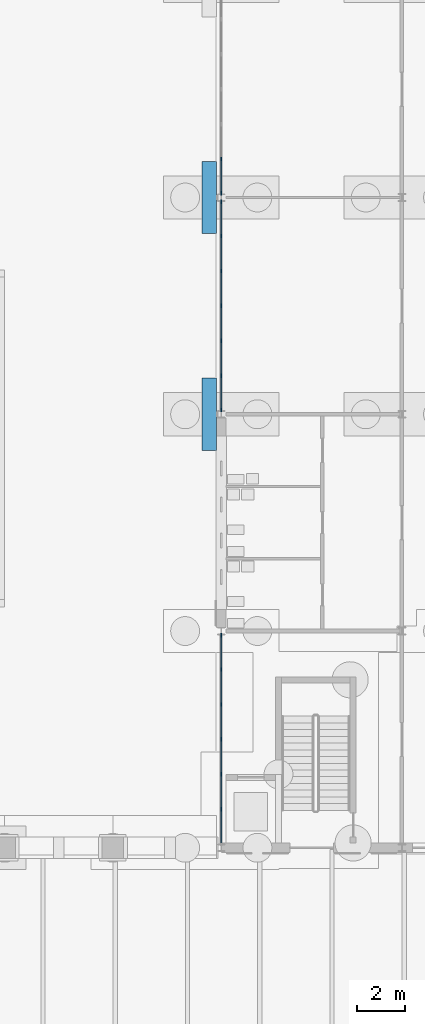
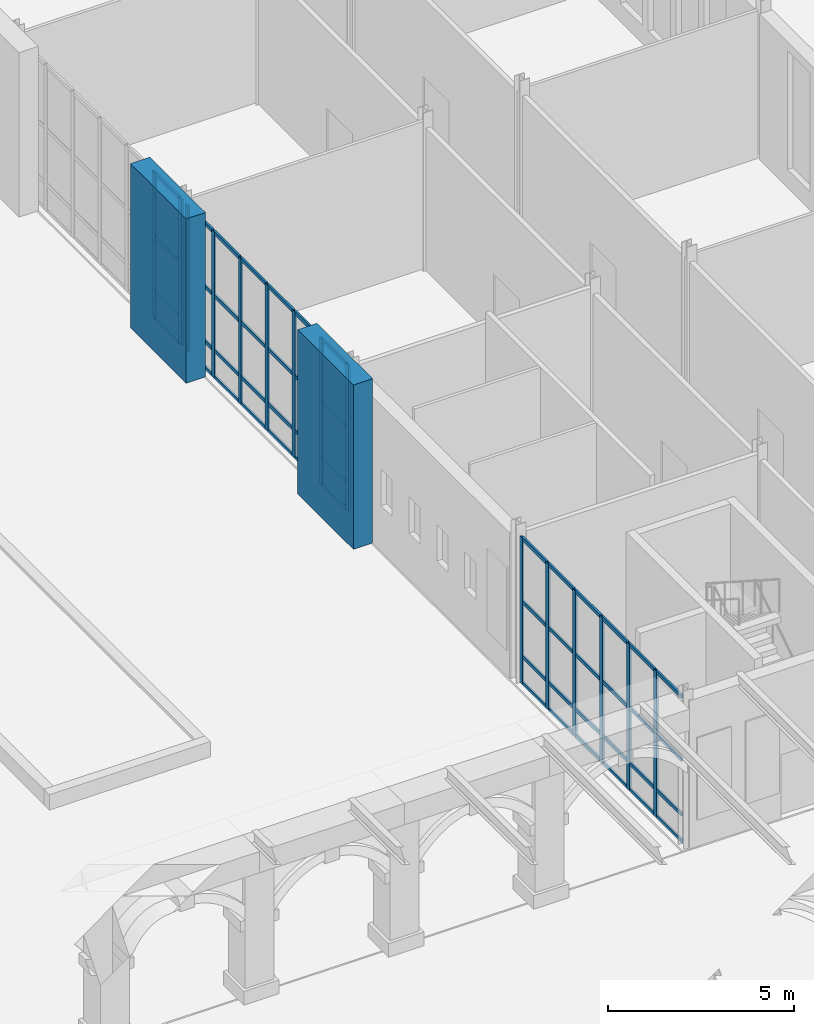
# One storey, part 39 of 168: 69 members, 3 elements without a shape of their own.
"""IFC4 building model written with IfcOpenShell, lengths in metres."""

from ifc_helpers import new_model, si_unit, direction, frame, origin, origin_2d, place, context, subcontext, project, spatial, rectangle, extrude, material, layer, layer_set, material_profile, profile_set, type_object, element, aggregate, save


model = new_model("IFC4")

# Units and contexts
model_context = context("Model", 3, precision=1e-05, world=origin(), true_north=direction((0.0, 1.0)))
body_context = subcontext(model_context, "Body", "Model", "MODEL_VIEW")
ifc_project = project(units=[si_unit("LENGTHUNIT", "METRE"), si_unit("AREAUNIT", "SQUARE_METRE"), si_unit("VOLUMEUNIT", "CUBIC_METRE"), si_unit("PLANEANGLEUNIT", "RADIAN"), si_unit("MASSUNIT", "GRAM", prefix="KILO")], contexts=[model_context])

# Site, building, storey
site_placement = place(None, origin())
site = spatial("IfcSite", under=ifc_project, at=site_placement, CompositionType="ELEMENT")
building_placement = place(site_placement, origin())
building = spatial("IfcBuilding", under=site, at=building_placement, Name="Golden Quay Civic Hall", CompositionType="ELEMENT")
storey_placement = place(building_placement, origin())
storey = spatial("IfcBuildingStorey", under=building, at=storey_placement, Name="L00", CompositionType="ELEMENT", Elevation=0.0)

# Curtain wall, members
ifc_material_1 = material(Name="Glass, laminated double glazed", Category="glass")
ifc_layer = layer(ifc_material_1, 0.199951171875)
ifc_layer_set = layer_set([ifc_layer], Name="Glazed core strip curtain wall")
curtain_wall_type = type_object("IfcCurtainWallType", Name="Glazed core strip curtain wall", PredefinedType="NOTDEFINED", material=ifc_layer_set)
curtain_wall_1_placement = place(storey_placement, origin())
curtain_wall_1 = element("IfcCurtainWall", 1, at=curtain_wall_1_placement, inside=storey, type_object=curtain_wall_type, Name="Glazed core strip curtain wall L00 3", PredefinedType="NOTDEFINED")
ifc_material_2 = material(Name="Aluminium, anodised", Category="aluminium")
ifc_material_profile_1 = material_profile(ifc_material_2, rectangle(XDim=0.06005859375, YDim=0.159912109375, at=origin_2d()), Name="Aluminium 60 x 160")
ifc_profile_set_1 = profile_set([ifc_material_profile_1], Name="Aluminium, anodised")
member_type_1 = type_object("IfcMemberType", Name="Aluminium mullion 60 x 160", PredefinedType="MULLION", material=ifc_profile_set_1)
member_1_placement = place(storey_placement, frame((54.0, 1.5966796875, 0.0), z_axis=(0.0, 0.0, 1.0), x_axis=(-1.0, 0.0, 0.0)))
member_1 = element("IfcMember", 2, at=member_1_placement, type_object=member_type_1, Name="CW2 mullion 2", PredefinedType="MULLION", context=body_context, shape_type="SweptSolid", body=[
    extrude(rectangle(XDim=0.06005859375, YDim=0.159912109375, at=origin_2d()), origin(), (0.0, 0.0, 1.0), 4.800048828125),
])
member_2_placement = place(storey_placement, frame((54.0, 3.04833984375, 0.0), z_axis=(0.0, 0.0, 1.0), x_axis=(-1.0, 0.0, 0.0)))
member_2 = element("IfcMember", 3, at=member_2_placement, type_object=member_type_1, Name="CW2 mullion 3", PredefinedType="MULLION", context=body_context, shape_type="SweptSolid", body=[
    extrude(rectangle(XDim=0.06005859375, YDim=0.159912109375, at=origin_2d()), origin(), (0.0, 0.0, 1.0), 4.800048828125),
])
member_3_placement = place(storey_placement, frame((54.0, 4.5, 0.0), z_axis=(0.0, 0.0, 1.0), x_axis=(-1.0, 0.0, 0.0)))
member_3 = element("IfcMember", 4, at=member_3_placement, type_object=member_type_1, Name="CW2 mullion 4", PredefinedType="MULLION", context=body_context, shape_type="SweptSolid", body=[
    extrude(rectangle(XDim=0.06005859375, YDim=0.159912109375, at=origin_2d()), origin(), (0.0, 0.0, 1.0), 4.800048828125),
])
member_4_placement = place(storey_placement, frame((54.0, 5.95166015625, 0.0), z_axis=(0.0, 0.0, 1.0), x_axis=(-1.0, 0.0, 0.0)))
member_4 = element("IfcMember", 5, at=member_4_placement, type_object=member_type_1, Name="CW2 mullion 5", PredefinedType="MULLION", context=body_context, shape_type="SweptSolid", body=[
    extrude(rectangle(XDim=0.06005859375, YDim=0.159912109375, at=origin_2d()), origin(), (0.0, 0.0, 1.0), 4.800048828125),
])
member_5_placement = place(storey_placement, frame((54.0, 7.4033203125, 0.0), z_axis=(0.0, 0.0, 1.0), x_axis=(-1.0, 0.0, 0.0)))
member_5 = element("IfcMember", 6, at=member_5_placement, type_object=member_type_1, Name="CW2 mullion 6", PredefinedType="MULLION", context=body_context, shape_type="SweptSolid", body=[
    extrude(rectangle(XDim=0.06005859375, YDim=0.159912109375, at=origin_2d()), origin(), (0.0, 0.0, 1.0), 4.800048828125),
])
member_6_placement = place(storey_placement, frame((54.0, 8.824951171875, 0.0), z_axis=(0.0, 0.0, 1.0), x_axis=(-1.0, 0.0, 0.0)))
member_6 = element("IfcMember", 7, at=member_6_placement, type_object=member_type_1, Name="CW2 mullion 7", PredefinedType="MULLION", context=body_context, shape_type="SweptSolid", body=[
    extrude(rectangle(XDim=0.06005859375, YDim=0.159912109375, at=origin_2d()), origin(), (0.0, 0.0, 1.0), 4.800048828125),
])

curtain_wall_2_placement = place(storey_placement, origin())
curtain_wall_2 = element("IfcCurtainWall", 8, at=curtain_wall_2_placement, inside=storey, type_object=curtain_wall_type, Name="Glazed core strip curtain wall L00 4", PredefinedType="NOTDEFINED")
member_7_placement = place(storey_placement, frame((54.0, 18.175048828125, 0.0), z_axis=(0.0, 0.0, 1.0), x_axis=(-1.0, 0.0, 0.0)))
member_7 = element("IfcMember", 9, at=member_7_placement, type_object=member_type_1, Name="CW2 mullion 1", PredefinedType="MULLION", context=body_context, shape_type="SweptSolid", body=[
    extrude(rectangle(XDim=0.06005859375, YDim=0.159912109375, at=origin_2d()), origin(), (0.0, 0.0, 1.0), 4.800048828125),
])
member_8_placement = place(storey_placement, frame((54.0, 19.5966796875, 0.0), z_axis=(0.0, 0.0, 1.0), x_axis=(-1.0, 0.0, 0.0)))
member_8 = element("IfcMember", 10, at=member_8_placement, type_object=member_type_1, Name="CW2 mullion 2", PredefinedType="MULLION", context=body_context, shape_type="SweptSolid", body=[
    extrude(rectangle(XDim=0.06005859375, YDim=0.159912109375, at=origin_2d()), origin(), (0.0, 0.0, 1.0), 4.800048828125),
])
member_9_placement = place(storey_placement, frame((54.0, 21.04833984375, 0.0), z_axis=(0.0, 0.0, 1.0), x_axis=(-1.0, 0.0, 0.0)))
member_9 = element("IfcMember", 11, at=member_9_placement, type_object=member_type_1, Name="CW2 mullion 3", PredefinedType="MULLION", context=body_context, shape_type="SweptSolid", body=[
    extrude(rectangle(XDim=0.06005859375, YDim=0.159912109375, at=origin_2d()), origin(), (0.0, 0.0, 1.0), 4.800048828125),
])
member_10_placement = place(storey_placement, frame((54.0, 22.5, 0.0), z_axis=(0.0, 0.0, 1.0), x_axis=(-1.0, 0.0, 0.0)))
member_10 = element("IfcMember", 12, at=member_10_placement, type_object=member_type_1, Name="CW2 mullion 4", PredefinedType="MULLION", context=body_context, shape_type="SweptSolid", body=[
    extrude(rectangle(XDim=0.06005859375, YDim=0.159912109375, at=origin_2d()), origin(), (0.0, 0.0, 1.0), 4.800048828125),
])
member_11_placement = place(storey_placement, frame((54.0, 23.95166015625, 0.0), z_axis=(0.0, 0.0, 1.0), x_axis=(-1.0, 0.0, 0.0)))
member_11 = element("IfcMember", 13, at=member_11_placement, type_object=member_type_1, Name="CW2 mullion 5", PredefinedType="MULLION", context=body_context, shape_type="SweptSolid", body=[
    extrude(rectangle(XDim=0.06005859375, YDim=0.159912109375, at=origin_2d()), origin(), (0.0, 0.0, 1.0), 4.800048828125),
])
member_12_placement = place(storey_placement, frame((54.0, 25.4033203125, 0.0), z_axis=(0.0, 0.0, 1.0), x_axis=(-1.0, 0.0, 0.0)))
member_12 = element("IfcMember", 14, at=member_12_placement, type_object=member_type_1, Name="CW2 mullion 6", PredefinedType="MULLION", context=body_context, shape_type="SweptSolid", body=[
    extrude(rectangle(XDim=0.06005859375, YDim=0.159912109375, at=origin_2d()), origin(), (0.0, 0.0, 1.0), 4.800048828125),
])
member_13_placement = place(storey_placement, frame((54.0, 26.824951171875, 0.0), z_axis=(0.0, 0.0, 1.0), x_axis=(-1.0, 0.0, 0.0)))
member_13 = element("IfcMember", 15, at=member_13_placement, type_object=member_type_1, Name="CW2 mullion 7", PredefinedType="MULLION", context=body_context, shape_type="SweptSolid", body=[
    extrude(rectangle(XDim=0.06005859375, YDim=0.159912109375, at=origin_2d()), origin(), (0.0, 0.0, 1.0), 4.800048828125),
])

curtain_wall_3_placement = place(storey_placement, origin())
curtain_wall_3 = element("IfcCurtainWall", 16, at=curtain_wall_3_placement, inside=storey, type_object=curtain_wall_type, Name="Glazed core strip curtain wall L00 5", PredefinedType="NOTDEFINED")
member_14_placement = place(storey_placement, frame((54.0, 27.175048828125, 0.0), z_axis=(0.0, 0.0, 1.0), x_axis=(-1.0, 0.0, 0.0)))
member_14 = element("IfcMember", 17, at=member_14_placement, type_object=member_type_1, Name="CW2 mullion 1", PredefinedType="MULLION", context=body_context, shape_type="SweptSolid", body=[
    extrude(rectangle(XDim=0.06005859375, YDim=0.159912109375, at=origin_2d()), origin(), (0.0, 0.0, 1.0), 4.800048828125),
])
member_15_placement = place(storey_placement, frame((54.0, 28.5966796875, 0.0), z_axis=(0.0, 0.0, 1.0), x_axis=(-1.0, 0.0, 0.0)))
member_15 = element("IfcMember", 18, at=member_15_placement, type_object=member_type_1, Name="CW2 mullion 2", PredefinedType="MULLION", context=body_context, shape_type="SweptSolid", body=[
    extrude(rectangle(XDim=0.06005859375, YDim=0.159912109375, at=origin_2d()), origin(), (0.0, 0.0, 1.0), 4.800048828125),
])

# Member
ifc_material_3 = material(Name="Aluminium, anodised", Category="aluminium")
ifc_material_profile_2 = material_profile(ifc_material_3, rectangle(XDim=0.06005859375, YDim=0.1201171875, at=origin_2d()), Name="Aluminium 60 x 120")
ifc_profile_set_2 = profile_set([ifc_material_profile_2], Name="Aluminium, anodised")
member_type_2 = type_object("IfcMemberType", Name="Aluminium transom 60 x 120", PredefinedType="USERDEFINED", material=ifc_profile_set_2)
member_16_placement = place(storey_placement, frame((54.0, 0.205078125, 0.030029296875), z_axis=(0.0, 1.0, 0.0), x_axis=(-1.0, 0.0, 0.0)))
member_16 = element("IfcMember", 19, at=member_16_placement, type_object=member_type_2, Name="CW2 transom 1.1", ObjectType="TRANSOM", PredefinedType="USERDEFINED", context=body_context, shape_type="SweptSolid", body=[
    extrude(rectangle(XDim=0.06005859375, YDim=0.1201171875, at=origin_2d()), origin(), (0.0, 0.0, 1.0), 1.361572265625),
])

member_17_placement = place(storey_placement, frame((54.0, 0.205078125, 0.89990234375), z_axis=(0.0, 1.0, 0.0), x_axis=(-1.0, 0.0, 0.0)))
member_17 = element("IfcMember", 20, at=member_17_placement, type_object=member_type_2, Name="CW2 transom 1.2", ObjectType="TRANSOM", PredefinedType="USERDEFINED", context=body_context, shape_type="SweptSolid", body=[
    extrude(rectangle(XDim=0.06005859375, YDim=0.1201171875, at=origin_2d()), origin(), (0.0, 0.0, 1.0), 1.361572265625),
])

member_18_placement = place(storey_placement, frame((54.0, 0.205078125, 2.699951171875), z_axis=(0.0, 1.0, 0.0), x_axis=(-1.0, 0.0, 0.0)))
member_18 = element("IfcMember", 21, at=member_18_placement, type_object=member_type_2, Name="CW2 transom 1.3", ObjectType="TRANSOM", PredefinedType="USERDEFINED", context=body_context, shape_type="SweptSolid", body=[
    extrude(rectangle(XDim=0.06005859375, YDim=0.1201171875, at=origin_2d()), origin(), (0.0, 0.0, 1.0), 1.361572265625),
])

member_19_placement = place(storey_placement, frame((54.0, 0.205078125, 4.77001953125), z_axis=(0.0, 1.0, 0.0), x_axis=(-1.0, 0.0, 0.0)))
member_19 = element("IfcMember", 22, at=member_19_placement, type_object=member_type_2, Name="CW2 transom 1.4", ObjectType="TRANSOM", PredefinedType="USERDEFINED", context=body_context, shape_type="SweptSolid", body=[
    extrude(rectangle(XDim=0.06005859375, YDim=0.1201171875, at=origin_2d()), origin(), (0.0, 0.0, 1.0), 1.361572265625),
])

member_20_placement = place(storey_placement, frame((54.0, 1.626708984375, 0.030029296875), z_axis=(0.0, 1.0, 0.0), x_axis=(-1.0, 0.0, 0.0)))
member_20 = element("IfcMember", 23, at=member_20_placement, type_object=member_type_2, Name="CW2 transom 2.1", ObjectType="TRANSOM", PredefinedType="USERDEFINED", context=body_context, shape_type="SweptSolid", body=[
    extrude(rectangle(XDim=0.06005859375, YDim=0.1201171875, at=origin_2d()), origin(), (0.0, 0.0, 1.0), 1.3916015625),
])

member_21_placement = place(storey_placement, frame((54.0, 1.626708984375, 0.89990234375), z_axis=(0.0, 1.0, 0.0), x_axis=(-1.0, 0.0, 0.0)))
member_21 = element("IfcMember", 24, at=member_21_placement, type_object=member_type_2, Name="CW2 transom 2.2", ObjectType="TRANSOM", PredefinedType="USERDEFINED", context=body_context, shape_type="SweptSolid", body=[
    extrude(rectangle(XDim=0.06005859375, YDim=0.1201171875, at=origin_2d()), origin(), (0.0, 0.0, 1.0), 1.3916015625),
])

member_22_placement = place(storey_placement, frame((54.0, 1.626708984375, 2.699951171875), z_axis=(0.0, 1.0, 0.0), x_axis=(-1.0, 0.0, 0.0)))
member_22 = element("IfcMember", 25, at=member_22_placement, type_object=member_type_2, Name="CW2 transom 2.3", ObjectType="TRANSOM", PredefinedType="USERDEFINED", context=body_context, shape_type="SweptSolid", body=[
    extrude(rectangle(XDim=0.06005859375, YDim=0.1201171875, at=origin_2d()), origin(), (0.0, 0.0, 1.0), 1.3916015625),
])

member_23_placement = place(storey_placement, frame((54.0, 1.626708984375, 4.77001953125), z_axis=(0.0, 1.0, 0.0), x_axis=(-1.0, 0.0, 0.0)))
member_23 = element("IfcMember", 26, at=member_23_placement, type_object=member_type_2, Name="CW2 transom 2.4", ObjectType="TRANSOM", PredefinedType="USERDEFINED", context=body_context, shape_type="SweptSolid", body=[
    extrude(rectangle(XDim=0.06005859375, YDim=0.1201171875, at=origin_2d()), origin(), (0.0, 0.0, 1.0), 1.3916015625),
])

member_24_placement = place(storey_placement, frame((54.0, 3.078369140625, 0.030029296875), z_axis=(0.0, 1.0, 0.0), x_axis=(-1.0, 0.0, 0.0)))
member_24 = element("IfcMember", 27, at=member_24_placement, type_object=member_type_2, Name="CW2 transom 3.1", ObjectType="TRANSOM", PredefinedType="USERDEFINED", context=body_context, shape_type="SweptSolid", body=[
    extrude(rectangle(XDim=0.06005859375, YDim=0.1201171875, at=origin_2d()), origin(), (0.0, 0.0, 1.0), 1.3916015625),
])

member_25_placement = place(storey_placement, frame((54.0, 3.078369140625, 0.89990234375), z_axis=(0.0, 1.0, 0.0), x_axis=(-1.0, 0.0, 0.0)))
member_25 = element("IfcMember", 28, at=member_25_placement, type_object=member_type_2, Name="CW2 transom 3.2", ObjectType="TRANSOM", PredefinedType="USERDEFINED", context=body_context, shape_type="SweptSolid", body=[
    extrude(rectangle(XDim=0.06005859375, YDim=0.1201171875, at=origin_2d()), origin(), (0.0, 0.0, 1.0), 1.3916015625),
])

member_26_placement = place(storey_placement, frame((54.0, 3.078369140625, 2.699951171875), z_axis=(0.0, 1.0, 0.0), x_axis=(-1.0, 0.0, 0.0)))
member_26 = element("IfcMember", 29, at=member_26_placement, type_object=member_type_2, Name="CW2 transom 3.3", ObjectType="TRANSOM", PredefinedType="USERDEFINED", context=body_context, shape_type="SweptSolid", body=[
    extrude(rectangle(XDim=0.06005859375, YDim=0.1201171875, at=origin_2d()), origin(), (0.0, 0.0, 1.0), 1.3916015625),
])

member_27_placement = place(storey_placement, frame((54.0, 3.078369140625, 4.77001953125), z_axis=(0.0, 1.0, 0.0), x_axis=(-1.0, 0.0, 0.0)))
member_27 = element("IfcMember", 30, at=member_27_placement, type_object=member_type_2, Name="CW2 transom 3.4", ObjectType="TRANSOM", PredefinedType="USERDEFINED", context=body_context, shape_type="SweptSolid", body=[
    extrude(rectangle(XDim=0.06005859375, YDim=0.1201171875, at=origin_2d()), origin(), (0.0, 0.0, 1.0), 1.3916015625),
])

member_28_placement = place(storey_placement, frame((54.0, 4.530029296875, 0.030029296875), z_axis=(0.0, 1.0, 0.0), x_axis=(-1.0, 0.0, 0.0)))
member_28 = element("IfcMember", 31, at=member_28_placement, type_object=member_type_2, Name="CW2 transom 4.1", ObjectType="TRANSOM", PredefinedType="USERDEFINED", context=body_context, shape_type="SweptSolid", body=[
    extrude(rectangle(XDim=0.06005859375, YDim=0.1201171875, at=origin_2d()), origin(), (0.0, 0.0, 1.0), 1.3916015625),
])

member_29_placement = place(storey_placement, frame((54.0, 4.530029296875, 0.89990234375), z_axis=(0.0, 1.0, 0.0), x_axis=(-1.0, 0.0, 0.0)))
member_29 = element("IfcMember", 32, at=member_29_placement, type_object=member_type_2, Name="CW2 transom 4.2", ObjectType="TRANSOM", PredefinedType="USERDEFINED", context=body_context, shape_type="SweptSolid", body=[
    extrude(rectangle(XDim=0.06005859375, YDim=0.1201171875, at=origin_2d()), origin(), (0.0, 0.0, 1.0), 1.3916015625),
])

member_30_placement = place(storey_placement, frame((54.0, 4.530029296875, 2.699951171875), z_axis=(0.0, 1.0, 0.0), x_axis=(-1.0, 0.0, 0.0)))
member_30 = element("IfcMember", 33, at=member_30_placement, type_object=member_type_2, Name="CW2 transom 4.3", ObjectType="TRANSOM", PredefinedType="USERDEFINED", context=body_context, shape_type="SweptSolid", body=[
    extrude(rectangle(XDim=0.06005859375, YDim=0.1201171875, at=origin_2d()), origin(), (0.0, 0.0, 1.0), 1.3916015625),
])

member_31_placement = place(storey_placement, frame((54.0, 4.530029296875, 4.77001953125), z_axis=(0.0, 1.0, 0.0), x_axis=(-1.0, 0.0, 0.0)))
member_31 = element("IfcMember", 34, at=member_31_placement, type_object=member_type_2, Name="CW2 transom 4.4", ObjectType="TRANSOM", PredefinedType="USERDEFINED", context=body_context, shape_type="SweptSolid", body=[
    extrude(rectangle(XDim=0.06005859375, YDim=0.1201171875, at=origin_2d()), origin(), (0.0, 0.0, 1.0), 1.3916015625),
])

member_32_placement = place(storey_placement, frame((54.0, 5.981689453125, 0.030029296875), z_axis=(0.0, 1.0, 0.0), x_axis=(-1.0, 0.0, 0.0)))
member_32 = element("IfcMember", 35, at=member_32_placement, type_object=member_type_2, Name="CW2 transom 5.1", ObjectType="TRANSOM", PredefinedType="USERDEFINED", context=body_context, shape_type="SweptSolid", body=[
    extrude(rectangle(XDim=0.06005859375, YDim=0.1201171875, at=origin_2d()), origin(), (0.0, 0.0, 1.0), 1.3916015625),
])

member_33_placement = place(storey_placement, frame((54.0, 5.981689453125, 0.89990234375), z_axis=(0.0, 1.0, 0.0), x_axis=(-1.0, 0.0, 0.0)))
member_33 = element("IfcMember", 36, at=member_33_placement, type_object=member_type_2, Name="CW2 transom 5.2", ObjectType="TRANSOM", PredefinedType="USERDEFINED", context=body_context, shape_type="SweptSolid", body=[
    extrude(rectangle(XDim=0.06005859375, YDim=0.1201171875, at=origin_2d()), origin(), (0.0, 0.0, 1.0), 1.3916015625),
])

member_34_placement = place(storey_placement, frame((54.0, 5.981689453125, 2.699951171875), z_axis=(0.0, 1.0, 0.0), x_axis=(-1.0, 0.0, 0.0)))
member_34 = element("IfcMember", 37, at=member_34_placement, type_object=member_type_2, Name="CW2 transom 5.3", ObjectType="TRANSOM", PredefinedType="USERDEFINED", context=body_context, shape_type="SweptSolid", body=[
    extrude(rectangle(XDim=0.06005859375, YDim=0.1201171875, at=origin_2d()), origin(), (0.0, 0.0, 1.0), 1.3916015625),
])

member_35_placement = place(storey_placement, frame((54.0, 5.981689453125, 4.77001953125), z_axis=(0.0, 1.0, 0.0), x_axis=(-1.0, 0.0, 0.0)))
member_35 = element("IfcMember", 38, at=member_35_placement, type_object=member_type_2, Name="CW2 transom 5.4", ObjectType="TRANSOM", PredefinedType="USERDEFINED", context=body_context, shape_type="SweptSolid", body=[
    extrude(rectangle(XDim=0.06005859375, YDim=0.1201171875, at=origin_2d()), origin(), (0.0, 0.0, 1.0), 1.3916015625),
])

member_36_placement = place(storey_placement, frame((54.0, 7.433349609375, 0.030029296875), z_axis=(0.0, 1.0, 0.0), x_axis=(-1.0, 0.0, 0.0)))
member_36 = element("IfcMember", 39, at=member_36_placement, type_object=member_type_2, Name="CW2 transom 6.1", ObjectType="TRANSOM", PredefinedType="USERDEFINED", context=body_context, shape_type="SweptSolid", body=[
    extrude(rectangle(XDim=0.06005859375, YDim=0.1201171875, at=origin_2d()), origin(), (0.0, 0.0, 1.0), 1.361572265625),
])

member_37_placement = place(storey_placement, frame((54.0, 7.433349609375, 0.89990234375), z_axis=(0.0, 1.0, 0.0), x_axis=(-1.0, 0.0, 0.0)))
member_37 = element("IfcMember", 40, at=member_37_placement, type_object=member_type_2, Name="CW2 transom 6.2", ObjectType="TRANSOM", PredefinedType="USERDEFINED", context=body_context, shape_type="SweptSolid", body=[
    extrude(rectangle(XDim=0.06005859375, YDim=0.1201171875, at=origin_2d()), origin(), (0.0, 0.0, 1.0), 1.361572265625),
])

member_38_placement = place(storey_placement, frame((54.0, 7.433349609375, 2.699951171875), z_axis=(0.0, 1.0, 0.0), x_axis=(-1.0, 0.0, 0.0)))
member_38 = element("IfcMember", 41, at=member_38_placement, type_object=member_type_2, Name="CW2 transom 6.3", ObjectType="TRANSOM", PredefinedType="USERDEFINED", context=body_context, shape_type="SweptSolid", body=[
    extrude(rectangle(XDim=0.06005859375, YDim=0.1201171875, at=origin_2d()), origin(), (0.0, 0.0, 1.0), 1.361572265625),
])

member_39_placement = place(storey_placement, frame((54.0, 7.433349609375, 4.77001953125), z_axis=(0.0, 1.0, 0.0), x_axis=(-1.0, 0.0, 0.0)))
member_39 = element("IfcMember", 42, at=member_39_placement, type_object=member_type_2, Name="CW2 transom 6.4", ObjectType="TRANSOM", PredefinedType="USERDEFINED", context=body_context, shape_type="SweptSolid", body=[
    extrude(rectangle(XDim=0.06005859375, YDim=0.1201171875, at=origin_2d()), origin(), (0.0, 0.0, 1.0), 1.361572265625),
])

aggregate(curtain_wall_1, [member_1, member_2, member_3, member_4, member_5, member_6, member_16, member_17, member_18, member_19, member_20, member_21, member_22, member_23, member_24, member_25, member_26, member_27, member_28, member_29, member_30, member_31, member_32, member_33, member_34, member_35, member_36, member_37, member_38, member_39])

member_40_placement = place(storey_placement, frame((54.0, 18.205078125, 0.030029296875), z_axis=(0.0, 1.0, 0.0), x_axis=(-1.0, 0.0, 0.0)))
member_40 = element("IfcMember", 43, at=member_40_placement, type_object=member_type_2, Name="CW2 transom 1.1", ObjectType="TRANSOM", PredefinedType="USERDEFINED", context=body_context, shape_type="SweptSolid", body=[
    extrude(rectangle(XDim=0.06005859375, YDim=0.1201171875, at=origin_2d()), origin(), (0.0, 0.0, 1.0), 1.361572265625),
])

member_41_placement = place(storey_placement, frame((54.0, 18.205078125, 0.89990234375), z_axis=(0.0, 1.0, 0.0), x_axis=(-1.0, 0.0, 0.0)))
member_41 = element("IfcMember", 44, at=member_41_placement, type_object=member_type_2, Name="CW2 transom 1.2", ObjectType="TRANSOM", PredefinedType="USERDEFINED", context=body_context, shape_type="SweptSolid", body=[
    extrude(rectangle(XDim=0.06005859375, YDim=0.1201171875, at=origin_2d()), origin(), (0.0, 0.0, 1.0), 1.361572265625),
])

member_42_placement = place(storey_placement, frame((54.0, 18.205078125, 2.699951171875), z_axis=(0.0, 1.0, 0.0), x_axis=(-1.0, 0.0, 0.0)))
member_42 = element("IfcMember", 45, at=member_42_placement, type_object=member_type_2, Name="CW2 transom 1.3", ObjectType="TRANSOM", PredefinedType="USERDEFINED", context=body_context, shape_type="SweptSolid", body=[
    extrude(rectangle(XDim=0.06005859375, YDim=0.1201171875, at=origin_2d()), origin(), (0.0, 0.0, 1.0), 1.361572265625),
])

member_43_placement = place(storey_placement, frame((54.0, 18.205078125, 4.77001953125), z_axis=(0.0, 1.0, 0.0), x_axis=(-1.0, 0.0, 0.0)))
member_43 = element("IfcMember", 46, at=member_43_placement, type_object=member_type_2, Name="CW2 transom 1.4", ObjectType="TRANSOM", PredefinedType="USERDEFINED", context=body_context, shape_type="SweptSolid", body=[
    extrude(rectangle(XDim=0.06005859375, YDim=0.1201171875, at=origin_2d()), origin(), (0.0, 0.0, 1.0), 1.361572265625),
])

member_44_placement = place(storey_placement, frame((54.0, 19.626708984375, 0.030029296875), z_axis=(0.0, 1.0, 0.0), x_axis=(-1.0, 0.0, 0.0)))
member_44 = element("IfcMember", 47, at=member_44_placement, type_object=member_type_2, Name="CW2 transom 2.1", ObjectType="TRANSOM", PredefinedType="USERDEFINED", context=body_context, shape_type="SweptSolid", body=[
    extrude(rectangle(XDim=0.06005859375, YDim=0.1201171875, at=origin_2d()), origin(), (0.0, 0.0, 1.0), 1.3916015625),
])

member_45_placement = place(storey_placement, frame((54.0, 19.626708984375, 0.89990234375), z_axis=(0.0, 1.0, 0.0), x_axis=(-1.0, 0.0, 0.0)))
member_45 = element("IfcMember", 48, at=member_45_placement, type_object=member_type_2, Name="CW2 transom 2.2", ObjectType="TRANSOM", PredefinedType="USERDEFINED", context=body_context, shape_type="SweptSolid", body=[
    extrude(rectangle(XDim=0.06005859375, YDim=0.1201171875, at=origin_2d()), origin(), (0.0, 0.0, 1.0), 1.3916015625),
])

member_46_placement = place(storey_placement, frame((54.0, 19.626708984375, 2.699951171875), z_axis=(0.0, 1.0, 0.0), x_axis=(-1.0, 0.0, 0.0)))
member_46 = element("IfcMember", 49, at=member_46_placement, type_object=member_type_2, Name="CW2 transom 2.3", ObjectType="TRANSOM", PredefinedType="USERDEFINED", context=body_context, shape_type="SweptSolid", body=[
    extrude(rectangle(XDim=0.06005859375, YDim=0.1201171875, at=origin_2d()), origin(), (0.0, 0.0, 1.0), 1.3916015625),
])

member_47_placement = place(storey_placement, frame((54.0, 19.626708984375, 4.77001953125), z_axis=(0.0, 1.0, 0.0), x_axis=(-1.0, 0.0, 0.0)))
member_47 = element("IfcMember", 50, at=member_47_placement, type_object=member_type_2, Name="CW2 transom 2.4", ObjectType="TRANSOM", PredefinedType="USERDEFINED", context=body_context, shape_type="SweptSolid", body=[
    extrude(rectangle(XDim=0.06005859375, YDim=0.1201171875, at=origin_2d()), origin(), (0.0, 0.0, 1.0), 1.3916015625),
])

member_48_placement = place(storey_placement, frame((54.0, 21.078369140625, 0.030029296875), z_axis=(0.0, 1.0, 0.0), x_axis=(-1.0, 0.0, 0.0)))
member_48 = element("IfcMember", 51, at=member_48_placement, type_object=member_type_2, Name="CW2 transom 3.1", ObjectType="TRANSOM", PredefinedType="USERDEFINED", context=body_context, shape_type="SweptSolid", body=[
    extrude(rectangle(XDim=0.06005859375, YDim=0.1201171875, at=origin_2d()), origin(), (0.0, 0.0, 1.0), 1.3916015625),
])

member_49_placement = place(storey_placement, frame((54.0, 21.078369140625, 0.89990234375), z_axis=(0.0, 1.0, 0.0), x_axis=(-1.0, 0.0, 0.0)))
member_49 = element("IfcMember", 52, at=member_49_placement, type_object=member_type_2, Name="CW2 transom 3.2", ObjectType="TRANSOM", PredefinedType="USERDEFINED", context=body_context, shape_type="SweptSolid", body=[
    extrude(rectangle(XDim=0.06005859375, YDim=0.1201171875, at=origin_2d()), origin(), (0.0, 0.0, 1.0), 1.3916015625),
])

member_50_placement = place(storey_placement, frame((54.0, 21.078369140625, 2.699951171875), z_axis=(0.0, 1.0, 0.0), x_axis=(-1.0, 0.0, 0.0)))
member_50 = element("IfcMember", 53, at=member_50_placement, type_object=member_type_2, Name="CW2 transom 3.3", ObjectType="TRANSOM", PredefinedType="USERDEFINED", context=body_context, shape_type="SweptSolid", body=[
    extrude(rectangle(XDim=0.06005859375, YDim=0.1201171875, at=origin_2d()), origin(), (0.0, 0.0, 1.0), 1.3916015625),
])

member_51_placement = place(storey_placement, frame((54.0, 21.078369140625, 4.77001953125), z_axis=(0.0, 1.0, 0.0), x_axis=(-1.0, 0.0, 0.0)))
member_51 = element("IfcMember", 54, at=member_51_placement, type_object=member_type_2, Name="CW2 transom 3.4", ObjectType="TRANSOM", PredefinedType="USERDEFINED", context=body_context, shape_type="SweptSolid", body=[
    extrude(rectangle(XDim=0.06005859375, YDim=0.1201171875, at=origin_2d()), origin(), (0.0, 0.0, 1.0), 1.3916015625),
])

member_52_placement = place(storey_placement, frame((54.0, 22.530029296875, 0.030029296875), z_axis=(0.0, 1.0, 0.0), x_axis=(-1.0, 0.0, 0.0)))
member_52 = element("IfcMember", 55, at=member_52_placement, type_object=member_type_2, Name="CW2 transom 4.1", ObjectType="TRANSOM", PredefinedType="USERDEFINED", context=body_context, shape_type="SweptSolid", body=[
    extrude(rectangle(XDim=0.06005859375, YDim=0.1201171875, at=origin_2d()), origin(), (0.0, 0.0, 1.0), 1.3916015625),
])

member_53_placement = place(storey_placement, frame((54.0, 22.530029296875, 0.89990234375), z_axis=(0.0, 1.0, 0.0), x_axis=(-1.0, 0.0, 0.0)))
member_53 = element("IfcMember", 56, at=member_53_placement, type_object=member_type_2, Name="CW2 transom 4.2", ObjectType="TRANSOM", PredefinedType="USERDEFINED", context=body_context, shape_type="SweptSolid", body=[
    extrude(rectangle(XDim=0.06005859375, YDim=0.1201171875, at=origin_2d()), origin(), (0.0, 0.0, 1.0), 1.3916015625),
])

member_54_placement = place(storey_placement, frame((54.0, 22.530029296875, 2.699951171875), z_axis=(0.0, 1.0, 0.0), x_axis=(-1.0, 0.0, 0.0)))
member_54 = element("IfcMember", 57, at=member_54_placement, type_object=member_type_2, Name="CW2 transom 4.3", ObjectType="TRANSOM", PredefinedType="USERDEFINED", context=body_context, shape_type="SweptSolid", body=[
    extrude(rectangle(XDim=0.06005859375, YDim=0.1201171875, at=origin_2d()), origin(), (0.0, 0.0, 1.0), 1.3916015625),
])

member_55_placement = place(storey_placement, frame((54.0, 22.530029296875, 4.77001953125), z_axis=(0.0, 1.0, 0.0), x_axis=(-1.0, 0.0, 0.0)))
member_55 = element("IfcMember", 58, at=member_55_placement, type_object=member_type_2, Name="CW2 transom 4.4", ObjectType="TRANSOM", PredefinedType="USERDEFINED", context=body_context, shape_type="SweptSolid", body=[
    extrude(rectangle(XDim=0.06005859375, YDim=0.1201171875, at=origin_2d()), origin(), (0.0, 0.0, 1.0), 1.3916015625),
])

member_56_placement = place(storey_placement, frame((54.0, 23.981689453125, 0.030029296875), z_axis=(0.0, 1.0, 0.0), x_axis=(-1.0, 0.0, 0.0)))
member_56 = element("IfcMember", 59, at=member_56_placement, type_object=member_type_2, Name="CW2 transom 5.1", ObjectType="TRANSOM", PredefinedType="USERDEFINED", context=body_context, shape_type="SweptSolid", body=[
    extrude(rectangle(XDim=0.06005859375, YDim=0.1201171875, at=origin_2d()), origin(), (0.0, 0.0, 1.0), 1.3916015625),
])

member_57_placement = place(storey_placement, frame((54.0, 23.981689453125, 0.89990234375), z_axis=(0.0, 1.0, 0.0), x_axis=(-1.0, 0.0, 0.0)))
member_57 = element("IfcMember", 60, at=member_57_placement, type_object=member_type_2, Name="CW2 transom 5.2", ObjectType="TRANSOM", PredefinedType="USERDEFINED", context=body_context, shape_type="SweptSolid", body=[
    extrude(rectangle(XDim=0.06005859375, YDim=0.1201171875, at=origin_2d()), origin(), (0.0, 0.0, 1.0), 1.3916015625),
])

member_58_placement = place(storey_placement, frame((54.0, 23.981689453125, 2.699951171875), z_axis=(0.0, 1.0, 0.0), x_axis=(-1.0, 0.0, 0.0)))
member_58 = element("IfcMember", 61, at=member_58_placement, type_object=member_type_2, Name="CW2 transom 5.3", ObjectType="TRANSOM", PredefinedType="USERDEFINED", context=body_context, shape_type="SweptSolid", body=[
    extrude(rectangle(XDim=0.06005859375, YDim=0.1201171875, at=origin_2d()), origin(), (0.0, 0.0, 1.0), 1.3916015625),
])

member_59_placement = place(storey_placement, frame((54.0, 23.981689453125, 4.77001953125), z_axis=(0.0, 1.0, 0.0), x_axis=(-1.0, 0.0, 0.0)))
member_59 = element("IfcMember", 62, at=member_59_placement, type_object=member_type_2, Name="CW2 transom 5.4", ObjectType="TRANSOM", PredefinedType="USERDEFINED", context=body_context, shape_type="SweptSolid", body=[
    extrude(rectangle(XDim=0.06005859375, YDim=0.1201171875, at=origin_2d()), origin(), (0.0, 0.0, 1.0), 1.3916015625),
])

member_60_placement = place(storey_placement, frame((54.0, 25.433349609375, 0.030029296875), z_axis=(0.0, 1.0, 0.0), x_axis=(-1.0, 0.0, 0.0)))
member_60 = element("IfcMember", 63, at=member_60_placement, type_object=member_type_2, Name="CW2 transom 6.1", ObjectType="TRANSOM", PredefinedType="USERDEFINED", context=body_context, shape_type="SweptSolid", body=[
    extrude(rectangle(XDim=0.06005859375, YDim=0.1201171875, at=origin_2d()), origin(), (0.0, 0.0, 1.0), 1.361572265625),
])

member_61_placement = place(storey_placement, frame((54.0, 25.433349609375, 0.89990234375), z_axis=(0.0, 1.0, 0.0), x_axis=(-1.0, 0.0, 0.0)))
member_61 = element("IfcMember", 64, at=member_61_placement, type_object=member_type_2, Name="CW2 transom 6.2", ObjectType="TRANSOM", PredefinedType="USERDEFINED", context=body_context, shape_type="SweptSolid", body=[
    extrude(rectangle(XDim=0.06005859375, YDim=0.1201171875, at=origin_2d()), origin(), (0.0, 0.0, 1.0), 1.361572265625),
])

member_62_placement = place(storey_placement, frame((54.0, 25.433349609375, 2.699951171875), z_axis=(0.0, 1.0, 0.0), x_axis=(-1.0, 0.0, 0.0)))
member_62 = element("IfcMember", 65, at=member_62_placement, type_object=member_type_2, Name="CW2 transom 6.3", ObjectType="TRANSOM", PredefinedType="USERDEFINED", context=body_context, shape_type="SweptSolid", body=[
    extrude(rectangle(XDim=0.06005859375, YDim=0.1201171875, at=origin_2d()), origin(), (0.0, 0.0, 1.0), 1.361572265625),
])

member_63_placement = place(storey_placement, frame((54.0, 25.433349609375, 4.77001953125), z_axis=(0.0, 1.0, 0.0), x_axis=(-1.0, 0.0, 0.0)))
member_63 = element("IfcMember", 66, at=member_63_placement, type_object=member_type_2, Name="CW2 transom 6.4", ObjectType="TRANSOM", PredefinedType="USERDEFINED", context=body_context, shape_type="SweptSolid", body=[
    extrude(rectangle(XDim=0.06005859375, YDim=0.1201171875, at=origin_2d()), origin(), (0.0, 0.0, 1.0), 1.361572265625),
])

aggregate(curtain_wall_2, [member_7, member_8, member_9, member_10, member_11, member_12, member_13, member_40, member_41, member_42, member_43, member_44, member_45, member_46, member_47, member_48, member_49, member_50, member_51, member_52, member_53, member_54, member_55, member_56, member_57, member_58, member_59, member_60, member_61, member_62, member_63])

member_64_placement = place(storey_placement, frame((54.0, 27.205078125, 0.030029296875), z_axis=(0.0, 1.0, 0.0), x_axis=(-1.0, 0.0, 0.0)))
member_64 = element("IfcMember", 67, at=member_64_placement, type_object=member_type_2, Name="CW2 transom 1.1", ObjectType="TRANSOM", PredefinedType="USERDEFINED", context=body_context, shape_type="SweptSolid", body=[
    extrude(rectangle(XDim=0.06005859375, YDim=0.1201171875, at=origin_2d()), origin(), (0.0, 0.0, 1.0), 1.361572265625),
])

member_65_placement = place(storey_placement, frame((54.0, 27.205078125, 0.89990234375), z_axis=(0.0, 1.0, 0.0), x_axis=(-1.0, 0.0, 0.0)))
member_65 = element("IfcMember", 68, at=member_65_placement, type_object=member_type_2, Name="CW2 transom 1.2", ObjectType="TRANSOM", PredefinedType="USERDEFINED", context=body_context, shape_type="SweptSolid", body=[
    extrude(rectangle(XDim=0.06005859375, YDim=0.1201171875, at=origin_2d()), origin(), (0.0, 0.0, 1.0), 1.361572265625),
])

member_66_placement = place(storey_placement, frame((54.0, 27.205078125, 2.699951171875), z_axis=(0.0, 1.0, 0.0), x_axis=(-1.0, 0.0, 0.0)))
member_66 = element("IfcMember", 69, at=member_66_placement, type_object=member_type_2, Name="CW2 transom 1.3", ObjectType="TRANSOM", PredefinedType="USERDEFINED", context=body_context, shape_type="SweptSolid", body=[
    extrude(rectangle(XDim=0.06005859375, YDim=0.1201171875, at=origin_2d()), origin(), (0.0, 0.0, 1.0), 1.361572265625),
])

member_67_placement = place(storey_placement, frame((54.0, 27.205078125, 4.77001953125), z_axis=(0.0, 1.0, 0.0), x_axis=(-1.0, 0.0, 0.0)))
member_67 = element("IfcMember", 70, at=member_67_placement, type_object=member_type_2, Name="CW2 transom 1.4", ObjectType="TRANSOM", PredefinedType="USERDEFINED", context=body_context, shape_type="SweptSolid", body=[
    extrude(rectangle(XDim=0.06005859375, YDim=0.1201171875, at=origin_2d()), origin(), (0.0, 0.0, 1.0), 1.361572265625),
])

aggregate(curtain_wall_3, [member_14, member_15, member_64, member_65, member_66, member_67])

# Members
ifc_material_4 = material(Name="Concrete C40/50", Category="concrete")
ifc_material_profile_3 = material_profile(ifc_material_4, rectangle(XDim=3.0, YDim=0.60009765625, at=origin_2d()), Name="RC 3000x600")
ifc_profile_set_3 = profile_set([ifc_material_profile_3], Name="Concrete C40/50")
member_type_3 = type_object("IfcMemberType", Name="Precast concrete facade pier 3000 x 600", PredefinedType="POST", material=ifc_profile_set_3)
for number, where, z_axis, x_axis, name in (
    (71, (53.5, 18.0, 0.0), (0.0, 0.0, 1.0), (0.0, 1.0, 0.0), "Precast concrete facade pier 3000 x 600 L00 17"),
    (72, (53.5, 27.0, 0.0), (0.0, 0.0, 1.0), (0.0, 1.0, 0.0), "Precast concrete facade pier 3000 x 600 L00 18"),
):
    element("IfcMember", number, at=place(storey_placement, frame(where, z_axis=z_axis, x_axis=x_axis)), inside=storey, type_object=member_type_3, Name=name, PredefinedType="POST", context=body_context, shape_type="SweptSolid", body=[
        extrude(rectangle(XDim=3.0, YDim=0.60009765625, at=origin_2d()), origin(), (0.0, 0.0, 1.0), 5.39990234375),
    ])

save(model, "model.ifc")
